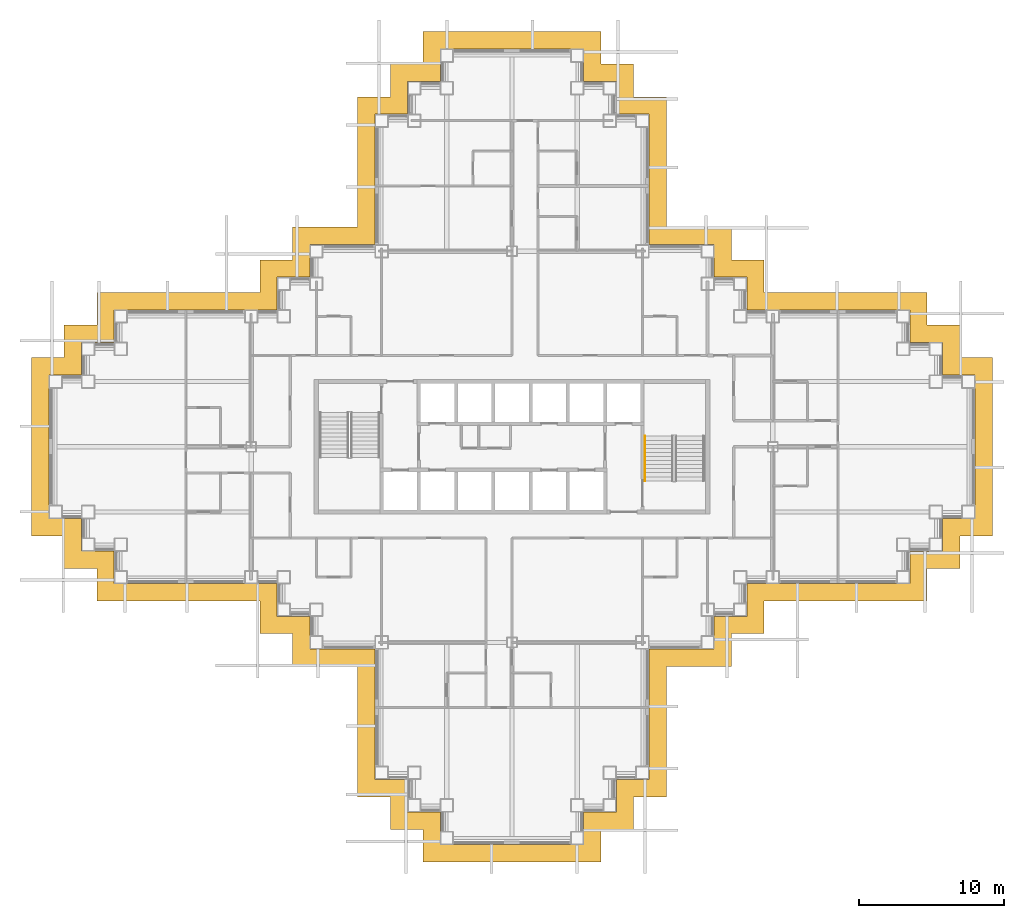
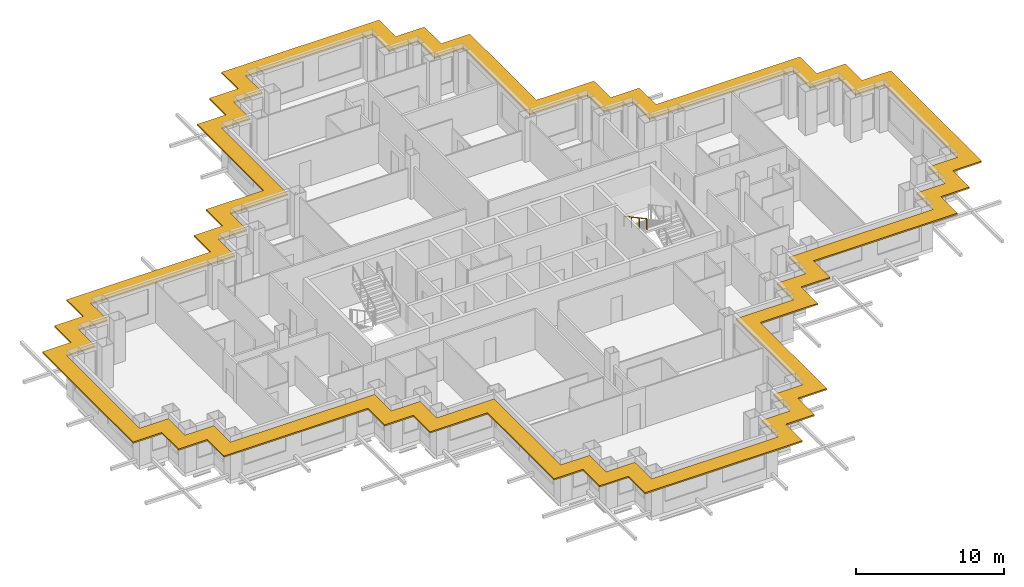
# One storey, part 14 of 15: 1 railing, 1 shading device.
"""IFC4 building model written with IfcOpenShell, lengths in metres."""

import ifcopenshell
import ifcopenshell.guid

model = None  # the IFC model being written
_history = None  # IfcOwnerHistory: only IFC2X3 demands one
_inside = {}  # id of a spatial element -> (the spatial element, [elements in it])
_under = {}  # id of a project, library or spatial element -> (it, [spatial elements below it])
_declared = {}  # id of a project -> (the project, [libraries it declares])
_typed = {}  # id of a type object -> (the type object, [elements of that type])
_made_of = {}  # id of a material, layer set ... -> (it, [elements and type objects made of it])


def new_model(schema):
    """Start an empty IFC model of exactly this schema.

    Asked for "IFC4X3", IfcOpenShell would pick the latest addendum, in which some entities
    have other attributes; the version numbers below select the first issue.
    IFC2X3 requires an IfcOwnerHistory on every rooted entity: one is made here for all.
    """
    global model, _history
    if schema == "IFC4X3":
        model = ifcopenshell.file(schema_version=(4, 3, 0, 0))
    else:
        model = ifcopenshell.file(schema=schema)
    _inside.clear()
    _under.clear()
    _declared.clear()
    _typed.clear()
    _made_of.clear()
    _history = None
    if model.schema == "IFC2X3":
        org = make("IfcOrganization", Name="unknown")
        user = make(
            "IfcPersonAndOrganization",
            ThePerson=make("IfcPerson", FamilyName="unknown"),
            TheOrganization=org,
        )
        app = make(
            "IfcApplication",
            ApplicationDeveloper=org,
            Version="unknown",
            ApplicationFullName="unknown",
            ApplicationIdentifier="unknown",
        )
        _history = make(
            "IfcOwnerHistory",
            OwningUser=user,
            OwningApplication=app,
            ChangeAction="ADDED",
            CreationDate=0,
        )
    return model


def make(cls, **values):
    """One entity of the class cls with the attributes given. An attribute that is None is left unset."""
    return model.create_entity(
        cls, **{name: value for name, value in values.items() if value is not None}
    )


def rooted(cls, **values):
    """An entity with a GlobalId (a new one), such as an element, a storey or a relation."""
    return make(cls, GlobalId=ifcopenshell.guid.new(), OwnerHistory=_history, **values)


def si_unit(unit_type, name, prefix=None):
    """IfcSIUnit, for example si_unit("LENGTHUNIT", "METRE", prefix="MILLI")."""
    return make("IfcSIUnit", UnitType=unit_type, Prefix=prefix, Name=name)


def assignment(units):
    """IfcUnitAssignment: the units of a project."""
    return None if units is None else make("IfcUnitAssignment", Units=units)


def point(xyz):
    """IfcCartesianPoint."""
    return None if xyz is None else make("IfcCartesianPoint", Coordinates=xyz)


def direction(xyz):
    """IfcDirection."""
    return None if xyz is None else make("IfcDirection", DirectionRatios=xyz)


def frame(location, z_axis=None, x_axis=None):
    """IfcAxis2Placement3D, a coordinate frame: its origin and axes. An axis left out is left unset."""
    return make(
        "IfcAxis2Placement3D",
        Location=point(location),
        Axis=direction(z_axis),
        RefDirection=direction(x_axis),
    )


def frame_2d(location, x_axis=None):
    """IfcAxis2Placement2D, a coordinate frame in the plane: its origin and x axis."""
    return make(
        "IfcAxis2Placement2D", Location=point(location), RefDirection=direction(x_axis)
    )


def origin():
    """The frame at (0, 0, 0) with its axes left unset."""
    return frame((0.0, 0.0, 0.0))


def origin_2d():
    """The frame at (0, 0) in the plane with its x axis left unset."""
    return frame_2d((0.0, 0.0))


def place(relative_to, where):
    """IfcLocalPlacement: puts the frame where relative to a parent placement (None: the world)."""
    return make(
        "IfcLocalPlacement", PlacementRelTo=relative_to, RelativePlacement=where
    )


def context(
    kind, dimensions, precision=None, world=None, true_north=None, identifier=None
):
    """IfcGeometricRepresentationContext, for example the 3D "Model" context."""
    return make(
        "IfcGeometricRepresentationContext",
        ContextIdentifier=identifier,
        ContextType=kind,
        CoordinateSpaceDimension=dimensions,
        Precision=precision,
        WorldCoordinateSystem=world,
        TrueNorth=true_north,
    )


def subcontext(parent, identifier, kind, view, scale=None):
    """IfcGeometricRepresentationSubContext, for example "Body" below "Model"."""
    return make(
        "IfcGeometricRepresentationSubContext",
        ContextIdentifier=identifier,
        ContextType=kind,
        ParentContext=parent,
        TargetScale=scale,
        TargetView=view,
    )


def project(units=None, contexts=None):
    """IfcProject with its units and contexts."""
    return rooted(
        "IfcProject",
        Name="project",
        RepresentationContexts=contexts,
        UnitsInContext=assignment(units),
    )


def spatial(cls, under=None, at=None, **own):
    """A site, building, storey or space (cls), placed at a placement, below another one or the project."""
    s = rooted(cls, ObjectPlacement=at, **own)
    if under is not None:
        _under.setdefault(under.id(), (under, []))[1].append(s)
    return s


def polyline(points):
    """IfcPolyline through the points."""
    return make("IfcPolyline", Points=[point(p) for p in points])


def profile(cls, at=None, kind="AREA", **sizes):
    """A parametric profile (cls). Its sizes go by their IFC names, for example OverallWidth=200.0."""
    return make(cls, ProfileType=kind, Position=at, **sizes)


def circle(**sizes):
    """IfcCircleProfileDef."""
    return profile("IfcCircleProfileDef", **sizes)


def outline(outer, holes=None, kind="AREA"):
    """IfcArbitraryClosedProfileDef: a profile drawn as a closed curve; with holes, ...WithVoids."""
    if holes is None:
        return make("IfcArbitraryClosedProfileDef", ProfileType=kind, OuterCurve=outer)
    return make(
        "IfcArbitraryProfileDefWithVoids",
        ProfileType=kind,
        OuterCurve=outer,
        InnerCurves=holes,
    )


def extrude(swept, where, along, depth):
    """IfcExtrudedAreaSolid: the profile swept, set in the frame where, extruded along a direction by depth."""
    return make(
        "IfcExtrudedAreaSolid",
        SweptArea=swept,
        Position=where,
        ExtrudedDirection=direction(along),
        Depth=depth,
    )


def shape(context_of_items, identifier, shape_type, items):
    """IfcShapeRepresentation: the items that make up one representation, for example the "Body"."""
    return make(
        "IfcShapeRepresentation",
        ContextOfItems=context_of_items,
        RepresentationIdentifier=identifier,
        RepresentationType=shape_type,
        Items=items,
    )


def material(Name=None, Category=None):
    """IfcMaterial."""
    return make("IfcMaterial", Name=Name, Category=Category)


def layer(
    of_material, thickness, ventilated=None, Name=None, Category=None, Priority=None
):
    """IfcMaterialLayer: one layer of a wall or slab, of a material (None: an air gap)."""
    return make(
        "IfcMaterialLayer",
        Material=of_material,
        LayerThickness=thickness,
        IsVentilated=ventilated,
        Name=Name,
        Category=Category,
        Priority=Priority,
    )


def layer_set(layers, Name=None):
    """IfcMaterialLayerSet."""
    return make("IfcMaterialLayerSet", MaterialLayers=layers, LayerSetName=Name)


def made_of(thing, what):
    """Note that an element or type object is made of a material, layer set ...; save() writes the relation."""
    if what is not None:
        _made_of.setdefault(what.id(), (what, []))[1].append(thing)
    return thing


def type_object(cls, material=None, **own):
    """A type object (cls), such as IfcWallType, which elements share."""
    return made_of(rooted(cls, **own), material)


def element(
    cls,
    number,
    at=None,
    inside=None,
    cuts=None,
    type_object=None,
    material=None,
    context=None,
    identifier="Body",
    shape_type=None,
    held_by="IfcProductDefinitionShape",
    body=None,
    shapes=None,
    **own,
):
    """One element of the class cls, such as IfcWall. Its Tag is "e" and its number.

    at: its placement. inside: the storey or other place that contains it. cuts: it is an
    opening in that element (IfcRelVoidsElement). A single representation is given by context,
    identifier, shape_type and body (its items); several are given by shapes. held_by: the class
    of the entity that holds the representations. save() writes the other relations.
    """
    e = rooted(cls, Tag="e%d" % number, ObjectPlacement=at, **own)
    if body is not None:
        shapes = [shape(context, identifier, shape_type, body)]
    if shapes is not None:
        e.Representation = make(held_by, Representations=shapes)
    if inside is not None:
        _inside.setdefault(inside.id(), (inside, []))[1].append(e)
    if cuts is not None:
        rooted(
            "IfcRelVoidsElement", RelatingBuildingElement=cuts, RelatedOpeningElement=e
        )
    if type_object is not None:
        _typed.setdefault(type_object.id(), (type_object, []))[1].append(e)
    return made_of(e, material)


def aggregate(whole, parts):
    """IfcRelAggregates: a whole, such as a stair, and the parts it consists of."""
    return rooted("IfcRelAggregates", RelatingObject=whole, RelatedObjects=parts)


def save(model, path):
    """Write the relations noted so far, then the file.

    IfcRelAggregates (storeys below a building ...), IfcRelContainedInSpatialStructure (elements
    in a storey), IfcRelDefinesByType, IfcRelAssociatesMaterial and IfcRelDeclares: one each for
    every whole, place, type object, material and project.
    """
    for whole, parts in _under.values():
        aggregate(whole, parts)
    for where, things in _inside.values():
        rooted(
            "IfcRelContainedInSpatialStructure",
            RelatedElements=things,
            RelatingStructure=where,
        )
    for kind, things in _typed.values():
        rooted("IfcRelDefinesByType", RelatedObjects=things, RelatingType=kind)
    for what, things in _made_of.values():
        rooted("IfcRelAssociatesMaterial", RelatedObjects=things, RelatingMaterial=what)
    for by, libraries in _declared.values():
        rooted("IfcRelDeclares", RelatingContext=by, RelatedDefinitions=libraries)
    model.write(path)


model = new_model("IFC4")

# Units and contexts
model_context = context("Model", 3, precision=1e-05, world=origin(), true_north=direction((0.0, 1.0)))
body_context = subcontext(model_context, "Body", "Model", "MODEL_VIEW")
ifc_project = project(units=[si_unit("LENGTHUNIT", "METRE"), si_unit("AREAUNIT", "SQUARE_METRE"), si_unit("VOLUMEUNIT", "CUBIC_METRE"), si_unit("PLANEANGLEUNIT", "RADIAN"), si_unit("MASSUNIT", "GRAM", prefix="KILO")], contexts=[model_context])

# Site, building, storey
site_placement = place(None, origin())
site = spatial("IfcSite", under=ifc_project, at=site_placement, CompositionType="ELEMENT")
building_placement = place(site_placement, origin())
building = spatial("IfcBuilding", under=site, at=building_placement, Name="Caravel Reach Hotel and Residences", CompositionType="ELEMENT")
storey_placement = place(building_placement, frame((0.0, 0.0, 111.60009765625)))
storey = spatial("IfcBuildingStorey", under=building, at=storey_placement, Name="L27", CompositionType="ELEMENT", Elevation=111.60009765625)

# Railing
ifc_material_1 = material(Name="Stainless steel handrail", Category="steel")
railing_type = type_object("IfcRailingType", Name="Handrail 900", PredefinedType="HANDRAIL", material=ifc_material_1)
railing_placement = place(storey_placement, frame((40.675048828125, 27.72998046875, 1.949951171875)))
element("IfcRailing", 1, at=railing_placement, inside=storey, type_object=railing_type, Name="L27 ST-B stair handrail 2", PredefinedType="HANDRAIL", context=body_context, shape_type="SweptSolid", body=[
    extrude(circle(Radius=0.02392578125, at=origin_2d()), frame((0.0, 0.0, 0.8759765625), z_axis=(0.0, -0.881496589024, 0.472190389079), x_axis=(1.0, 0.0, 0.0)), (0.0, 0.0, 1.0), 3.494140625),
    extrude(circle(Radius=0.02099609375, at=origin_2d()), origin(), (0.0, 0.0, 1.0), 0.851806640625),
    extrude(circle(Radius=0.02099609375, at=origin_2d()), frame((0.0, -1.026611328125, 0.550048828125)), (0.0, 0.0, 1.0), 0.851806640625),
    extrude(circle(Radius=0.02099609375, at=origin_2d()), frame((0.0, -2.053466796875, 1.099853515625)), (0.0, 0.0, 1.0), 0.851806640625),
    extrude(circle(Radius=0.02099609375, at=origin_2d()), frame((0.0, -3.080078125, 1.64990234375)), (0.0, 0.0, 1.0), 0.851806640625),
])

# Shading device
ifc_material_2 = material(Name="Black powder-coated aluminium", Category="aluminium")
ifc_layer = layer(ifc_material_2, 0.1201171875)
ifc_layer_set = layer_set([ifc_layer], Name="SS1 Sunshade band 1200")
shading_device_type = type_object("IfcShadingDeviceType", Name="SS1 Sunshade band 1200", PredefinedType="USERDEFINED", material=ifc_layer_set)
shading_device_placement = place(storey_placement, frame((0.0, 0.0, 3.039794921875)))
element("IfcShadingDevice", 2, at=shading_device_placement, inside=storey, type_object=shading_device_type, Name="Sunshade L27 1", ObjectType="SUNSHADE", PredefinedType="USERDEFINED", context=body_context, shape_type="SweptSolid", body=[
    extrude(outline(polyline([(20.85009765625, 11.85009765625), (20.85009765625, 2.85009765625), (23.10009765625, 2.85009765625), (23.10009765625, 0.60009765625), (25.35009765625, 0.60009765625), (25.35009765625, -1.64990234375), (37.64990234375, -1.64990234375), (37.64990234375, 0.60009765625), (39.89990234375, 0.60009765625), (39.89990234375, 2.85009765625), (42.14990234375, 2.85009765625), (42.14990234375, 11.85009765625), (46.64990234375, 11.85009765625), (46.64990234375, 14.10009765625), (48.89990234375, 14.10009765625), (48.89990234375, 16.35009765625), (60.14990234375, 16.35009765625), (60.14990234375, 18.60009765625), (62.39990234375, 18.60009765625), (62.39990234375, 20.85009765625), (64.64990234375, 20.85009765625), (64.64990234375, 33.14990234375), (62.39990234375, 33.14990234375), (62.39990234375, 35.39990234375), (60.14990234375, 35.39990234375), (60.14990234375, 37.64990234375), (48.89990234375, 37.64990234375), (48.89990234375, 39.89990234375), (46.64990234375, 39.89990234375), (46.64990234375, 42.14990234375), (42.14990234375, 42.14990234375), (42.14990234375, 51.14990234375), (39.89990234375, 51.14990234375), (39.89990234375, 53.39990234375), (37.64990234375, 53.39990234375), (37.64990234375, 55.64990234375), (25.35009765625, 55.64990234375), (25.35009765625, 53.39990234375), (23.10009765625, 53.39990234375), (23.10009765625, 51.14990234375), (20.85009765625, 51.14990234375), (20.85009765625, 42.14990234375), (16.35009765625, 42.14990234375), (16.35009765625, 39.89990234375), (14.10009765625, 39.89990234375), (14.10009765625, 37.64990234375), (2.85009765625, 37.64990234375), (2.85009765625, 35.39990234375), (0.60009765625, 35.39990234375), (0.60009765625, 33.14990234375), (-1.64990234375, 33.14990234375), (-1.64990234375, 20.85009765625), (0.60009765625, 20.85009765625), (0.60009765625, 18.60009765625), (2.85009765625, 18.60009765625), (2.85009765625, 16.35009765625), (14.10009765625, 16.35009765625), (14.10009765625, 14.10009765625), (16.35009765625, 14.10009765625), (16.35009765625, 11.85009765625), (20.85009765625, 11.85009765625)]), holes=[polyline([(24.300048828125, 4.050048828125), (22.050048828125, 4.050048828125), (22.050048828125, 13.050048828125), (17.550048828125, 13.050048828125), (17.550048828125, 15.300048828125), (15.300048828125, 15.300048828125), (15.300048828125, 17.550048828125), (4.050048828125, 17.550048828125), (4.050048828125, 19.800048828125), (1.800048828125, 19.800048828125), (1.800048828125, 22.050048828125), (-0.449951171875, 22.050048828125), (-0.449951171875, 31.949951171875), (1.800048828125, 31.949951171875), (1.800048828125, 34.199951171875), (4.050048828125, 34.199951171875), (4.050048828125, 36.449951171875), (15.300048828125, 36.449951171875), (15.300048828125, 38.699951171875), (17.550048828125, 38.699951171875), (17.550048828125, 40.949951171875), (22.050048828125, 40.949951171875), (22.050048828125, 49.949951171875), (24.300048828125, 49.949951171875), (24.300048828125, 52.199951171875), (26.550048828125, 52.199951171875), (26.550048828125, 54.449951171875), (36.449951171875, 54.449951171875), (36.449951171875, 52.199951171875), (38.699951171875, 52.199951171875), (38.699951171875, 49.949951171875), (40.949951171875, 49.949951171875), (40.949951171875, 40.949951171875), (45.449951171875, 40.949951171875), (45.449951171875, 38.699951171875), (47.699951171875, 38.699951171875), (47.699951171875, 36.449951171875), (58.949951171875, 36.449951171875), (58.949951171875, 34.199951171875), (61.199951171875, 34.199951171875), (61.199951171875, 31.949951171875), (63.449951171875, 31.949951171875), (63.449951171875, 22.050048828125), (61.199951171875, 22.050048828125), (61.199951171875, 19.800048828125), (58.949951171875, 19.800048828125), (58.949951171875, 17.550048828125), (47.699951171875, 17.550048828125), (47.699951171875, 15.300048828125), (45.449951171875, 15.300048828125), (45.449951171875, 13.050048828125), (40.949951171875, 13.050048828125), (40.949951171875, 4.050048828125), (38.699951171875, 4.050048828125), (38.699951171875, 1.800048828125), (36.449951171875, 1.800048828125), (36.449951171875, -0.449951171875), (26.550048828125, -0.449951171875), (26.550048828125, 1.800048828125), (24.300048828125, 1.800048828125), (24.300048828125, 4.050048828125)])]), origin(), (0.0, 0.0, 1.0), 0.1201171875),
])

save(model, "model.ifc")
